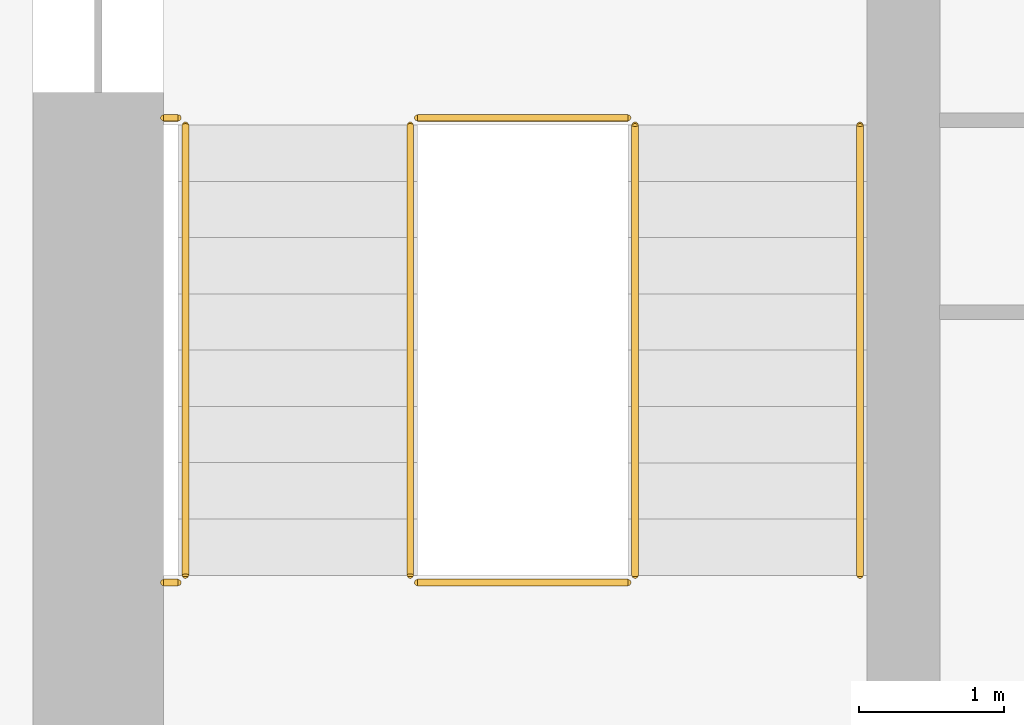
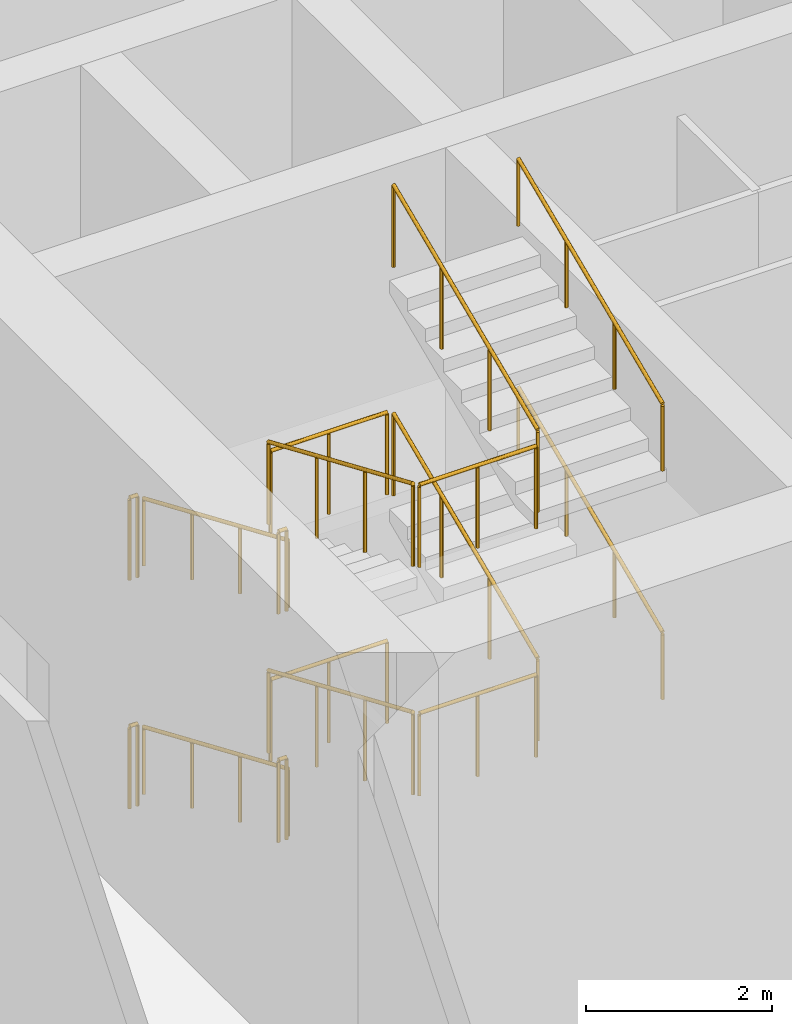
# One storey, part 18 of 24: 16 railings.
"""IFC4 building model written with IfcOpenShell, lengths in metres."""

from ifc_helpers import new_model, si_unit, direction, frame, origin, origin_2d, place, context, subcontext, project, spatial, circle, extrude, material, type_object, element, save


model = new_model("IFC4")

# Units and contexts
model_context = context("Model", 3, precision=1e-05, world=origin(), true_north=direction((0.0, 1.0)))
body_context = subcontext(model_context, "Body", "Model", "MODEL_VIEW")
ifc_project = project(units=[si_unit("LENGTHUNIT", "METRE"), si_unit("AREAUNIT", "SQUARE_METRE"), si_unit("VOLUMEUNIT", "CUBIC_METRE"), si_unit("PLANEANGLEUNIT", "RADIAN"), si_unit("MASSUNIT", "GRAM", prefix="KILO")], contexts=[model_context])

# Site, building, storey
site_placement = place(None, origin())
site = spatial("IfcSite", under=ifc_project, at=site_placement, CompositionType="ELEMENT")
building_placement = place(site_placement, origin())
building = spatial("IfcBuilding", under=site, at=building_placement, Name="Corbel Stack Research Tower", CompositionType="ELEMENT")
storey_placement = place(building_placement, frame((0.0, 0.0, 145.39990234375)))
storey = spatial("IfcBuildingStorey", under=building, at=storey_placement, Name="L33", CompositionType="ELEMENT", Elevation=145.39990234375)

# Railings
ifc_material_1 = material(Name="Steel S355", Category="steel")
railing_type_1 = type_object("IfcRailingType", Name="Stair guard 1100", PredefinedType="GUARDRAIL", material=ifc_material_1)
railing_1_placement = place(storey_placement, frame((-7.89990234375, -2.39990234375, 0.166748046875)))
element("IfcRailing", 1, at=railing_1_placement, inside=storey, type_object=railing_type_1, Name="L33 ST-W1 stair guard 1", PredefinedType="GUARDRAIL", context=body_context, shape_type="SweptSolid", body=[
    extrude(circle(Radius=0.02392578125, at=origin_2d()), frame((0.0, 0.0, 1.076171875), z_axis=(0.0, -0.918826996994, 0.394660549834), x_axis=(1.0, 0.0, 0.0)), (0.0, 0.0, 1.0), 3.378173828125),
    extrude(circle(Radius=0.02099609375, at=origin_2d()), origin(), (0.0, 0.0, 1.0), 1.052001953125),
    extrude(circle(Radius=0.02099609375, at=origin_2d()), frame((0.0, -1.03466796875, 0.4443359375)), (0.0, 0.0, 1.0), 1.052001953125),
    extrude(circle(Radius=0.02099609375, at=origin_2d()), frame((0.0, -2.0693359375, 0.888916015625)), (0.0, 0.0, 1.0), 1.052001953125),
    extrude(circle(Radius=0.02099609375, at=origin_2d()), frame((0.0, -3.10400390625, 1.333251953125)), (0.0, 0.0, 1.0), 1.052001953125),
])
railing_2_placement = place(storey_placement, frame((-7.85009765625, -5.553955078125, 1.5)))
element("IfcRailing", 2, at=railing_2_placement, inside=storey, type_object=railing_type_1, Name="L33 ST-W1 stair guard 2", PredefinedType="GUARDRAIL", context=body_context, shape_type="SweptSolid", body=[
    extrude(circle(Radius=0.02392578125, at=origin_2d()), frame((0.0, 0.0, 1.076171875), z_axis=(1.0, 0.0, 0.0), x_axis=(0.0, 1.0, 0.0)), (0.0, 0.0, 1.0), 1.4501953125),
    extrude(circle(Radius=0.02099609375, at=origin_2d()), origin(), (0.0, 0.0, 1.0), 1.052001953125),
    extrude(circle(Radius=0.02099609375, at=origin_2d()), frame((0.72509765625, 0.0, 0.0)), (0.0, 0.0, 1.0), 1.052001953125),
    extrude(circle(Radius=0.02099609375, at=origin_2d()), frame((1.4501953125, 0.0, 0.0)), (0.0, 0.0, 1.0), 1.052001953125),
])
railing_3_placement = place(storey_placement, frame((-9.60009765625, -5.553955078125, 1.5)))
element("IfcRailing", 3, at=railing_3_placement, inside=storey, type_object=railing_type_1, Name="L33 ST-W1 stair guard 3", PredefinedType="GUARDRAIL", context=body_context, shape_type="SweptSolid", body=[
    extrude(circle(Radius=0.02392578125, at=origin_2d()), frame((0.0, 0.0, 1.076171875), z_axis=(1.0, 0.0, 0.0), x_axis=(0.0, 1.0, 0.0)), (0.0, 0.0, 1.0), 0.10009765625),
    extrude(circle(Radius=0.02099609375, at=origin_2d()), origin(), (0.0, 0.0, 1.0), 1.052001953125),
    extrude(circle(Radius=0.02099609375, at=origin_2d()), frame((0.10009765625, 0.0, 0.0)), (0.0, 0.0, 1.0), 1.052001953125),
])
railing_4_placement = place(storey_placement, frame((-6.35009765625, -5.50390625, 1.666748046875)))
element("IfcRailing", 4, at=railing_4_placement, inside=storey, type_object=railing_type_1, Name="L33 ST-W1 stair guard 4", PredefinedType="GUARDRAIL", context=body_context, shape_type="SweptSolid", body=[
    extrude(circle(Radius=0.02392578125, at=origin_2d()), frame((0.0, 0.0, 1.076171875), z_axis=(0.0, 0.918826996994, 0.394660549834), x_axis=(-1.0, 0.0, 0.0)), (0.0, 0.0, 1.0), 3.378173828125),
    extrude(circle(Radius=0.02099609375, at=origin_2d()), origin(), (0.0, 0.0, 1.0), 1.052001953125),
    extrude(circle(Radius=0.02099609375, at=origin_2d()), frame((0.0, 1.03466796875, 0.4443359375)), (0.0, 0.0, 1.0), 1.052001953125),
    extrude(circle(Radius=0.02099609375, at=origin_2d()), frame((0.0, 2.0693359375, 0.888916015625)), (0.0, 0.0, 1.0), 1.052001953125),
    extrude(circle(Radius=0.02099609375, at=origin_2d()), frame((0.0, 3.10400390625, 1.333251953125)), (0.0, 0.0, 1.0), 1.052001953125),
])
railing_5_placement = place(storey_placement, frame((-7.85009765625, -2.35009765625, 3.0)))
element("IfcRailing", 5, at=railing_5_placement, inside=storey, type_object=railing_type_1, Name="L33 ST-W1 stair guard 5", PredefinedType="GUARDRAIL", context=body_context, shape_type="SweptSolid", body=[
    extrude(circle(Radius=0.02392578125, at=origin_2d()), frame((0.0, 0.0, 1.076171875), z_axis=(1.0, 0.0, 0.0), x_axis=(0.0, 1.0, 0.0)), (0.0, 0.0, 1.0), 1.4501953125),
    extrude(circle(Radius=0.02099609375, at=origin_2d()), origin(), (0.0, 0.0, 1.0), 1.052001953125),
    extrude(circle(Radius=0.02099609375, at=origin_2d()), frame((0.72509765625, 0.0, 0.0)), (0.0, 0.0, 1.0), 1.052001953125),
    extrude(circle(Radius=0.02099609375, at=origin_2d()), frame((1.4501953125, 0.0, 0.0)), (0.0, 0.0, 1.0), 1.052001953125),
])
railing_6_placement = place(storey_placement, frame((-9.60009765625, -2.35009765625, 3.0)))
element("IfcRailing", 6, at=railing_6_placement, inside=storey, type_object=railing_type_1, Name="L33 ST-W1 stair guard 6", PredefinedType="GUARDRAIL", context=body_context, shape_type="SweptSolid", body=[
    extrude(circle(Radius=0.02392578125, at=origin_2d()), frame((0.0, 0.0, 1.076171875), z_axis=(1.0, 0.0, 0.0), x_axis=(0.0, 1.0, 0.0)), (0.0, 0.0, 1.0), 0.10009765625),
    extrude(circle(Radius=0.02099609375, at=origin_2d()), origin(), (0.0, 0.0, 1.0), 1.052001953125),
    extrude(circle(Radius=0.02099609375, at=origin_2d()), frame((0.10009765625, 0.0, 0.0)), (0.0, 0.0, 1.0), 1.052001953125),
])
railing_7_placement = place(storey_placement, frame((-7.89990234375, -2.39990234375, 3.166748046875)))
element("IfcRailing", 7, at=railing_7_placement, inside=storey, type_object=railing_type_1, Name="L33 ST-W1 stair guard 7", PredefinedType="GUARDRAIL", context=body_context, shape_type="SweptSolid", body=[
    extrude(circle(Radius=0.02392578125, at=origin_2d()), frame((0.0, 0.0, 1.076171875), z_axis=(0.0, -0.918826996994, 0.394660549834), x_axis=(1.0, 0.0, 0.0)), (0.0, 0.0, 1.0), 3.378173828125),
    extrude(circle(Radius=0.02099609375, at=origin_2d()), origin(), (0.0, 0.0, 1.0), 1.052001953125),
    extrude(circle(Radius=0.02099609375, at=origin_2d()), frame((0.0, -1.03466796875, 0.4443359375)), (0.0, 0.0, 1.0), 1.052001953125),
    extrude(circle(Radius=0.02099609375, at=origin_2d()), frame((0.0, -2.0693359375, 0.888916015625)), (0.0, 0.0, 1.0), 1.052001953125),
    extrude(circle(Radius=0.02099609375, at=origin_2d()), frame((0.0, -3.10400390625, 1.333251953125)), (0.0, 0.0, 1.0), 1.052001953125),
])
railing_8_placement = place(storey_placement, frame((-7.85009765625, -5.553955078125, 4.5)))
element("IfcRailing", 8, at=railing_8_placement, inside=storey, type_object=railing_type_1, Name="L33 ST-W1 stair guard 8", PredefinedType="GUARDRAIL", context=body_context, shape_type="SweptSolid", body=[
    extrude(circle(Radius=0.02392578125, at=origin_2d()), frame((0.0, 0.0, 1.076171875), z_axis=(1.0, 0.0, 0.0), x_axis=(0.0, 1.0, 0.0)), (0.0, 0.0, 1.0), 1.4501953125),
    extrude(circle(Radius=0.02099609375, at=origin_2d()), origin(), (0.0, 0.0, 1.0), 1.052001953125),
    extrude(circle(Radius=0.02099609375, at=origin_2d()), frame((0.72509765625, 0.0, 0.0)), (0.0, 0.0, 1.0), 1.052001953125),
    extrude(circle(Radius=0.02099609375, at=origin_2d()), frame((1.4501953125, 0.0, 0.0)), (0.0, 0.0, 1.0), 1.052001953125),
])
railing_9_placement = place(storey_placement, frame((-9.60009765625, -5.553955078125, 4.5)))
element("IfcRailing", 9, at=railing_9_placement, inside=storey, type_object=railing_type_1, Name="L33 ST-W1 stair guard 9", PredefinedType="GUARDRAIL", context=body_context, shape_type="SweptSolid", body=[
    extrude(circle(Radius=0.02392578125, at=origin_2d()), frame((0.0, 0.0, 1.076171875), z_axis=(1.0, 0.0, 0.0), x_axis=(0.0, 1.0, 0.0)), (0.0, 0.0, 1.0), 0.10009765625),
    extrude(circle(Radius=0.02099609375, at=origin_2d()), origin(), (0.0, 0.0, 1.0), 1.052001953125),
    extrude(circle(Radius=0.02099609375, at=origin_2d()), frame((0.10009765625, 0.0, 0.0)), (0.0, 0.0, 1.0), 1.052001953125),
])
railing_10_placement = place(storey_placement, frame((-6.35009765625, -5.50390625, 4.666748046875)))
element("IfcRailing", 10, at=railing_10_placement, inside=storey, type_object=railing_type_1, Name="L33 ST-W1 stair guard 10", PredefinedType="GUARDRAIL", context=body_context, shape_type="SweptSolid", body=[
    extrude(circle(Radius=0.02392578125, at=origin_2d()), frame((0.0, 0.0, 1.076171875), z_axis=(0.0, 0.918826996994, 0.394660549834), x_axis=(-1.0, 0.0, 0.0)), (0.0, 0.0, 1.0), 3.378173828125),
    extrude(circle(Radius=0.02099609375, at=origin_2d()), origin(), (0.0, 0.0, 1.0), 1.052001953125),
    extrude(circle(Radius=0.02099609375, at=origin_2d()), frame((0.0, 1.03466796875, 0.4443359375)), (0.0, 0.0, 1.0), 1.052001953125),
    extrude(circle(Radius=0.02099609375, at=origin_2d()), frame((0.0, 2.0693359375, 0.888916015625)), (0.0, 0.0, 1.0), 1.052001953125),
    extrude(circle(Radius=0.02099609375, at=origin_2d()), frame((0.0, 3.10400390625, 1.333251953125)), (0.0, 0.0, 1.0), 1.052001953125),
])
railing_11_placement = place(storey_placement, frame((-7.85009765625, -2.35009765625, 0.0)))
element("IfcRailing", 11, at=railing_11_placement, inside=storey, type_object=railing_type_1, Name="L33 ST-W1 stair guard 11", PredefinedType="GUARDRAIL", context=body_context, shape_type="SweptSolid", body=[
    extrude(circle(Radius=0.02392578125, at=origin_2d()), frame((0.0, 0.0, 1.076171875), z_axis=(1.0, 0.0, 0.0), x_axis=(0.0, 1.0, 0.0)), (0.0, 0.0, 1.0), 1.4501953125),
    extrude(circle(Radius=0.02099609375, at=origin_2d()), origin(), (0.0, 0.0, 1.0), 1.052001953125),
    extrude(circle(Radius=0.02099609375, at=origin_2d()), frame((0.72509765625, 0.0, 0.0)), (0.0, 0.0, 1.0), 1.052001953125),
    extrude(circle(Radius=0.02099609375, at=origin_2d()), frame((1.4501953125, 0.0, 0.0)), (0.0, 0.0, 1.0), 1.052001953125),
])
railing_12_placement = place(storey_placement, frame((-9.60009765625, -2.35009765625, 0.0)))
element("IfcRailing", 12, at=railing_12_placement, inside=storey, type_object=railing_type_1, Name="L33 ST-W1 stair guard 12", PredefinedType="GUARDRAIL", context=body_context, shape_type="SweptSolid", body=[
    extrude(circle(Radius=0.02392578125, at=origin_2d()), frame((0.0, 0.0, 1.076171875), z_axis=(1.0, 0.0, 0.0), x_axis=(0.0, 1.0, 0.0)), (0.0, 0.0, 1.0), 0.10009765625),
    extrude(circle(Radius=0.02099609375, at=origin_2d()), origin(), (0.0, 0.0, 1.0), 1.052001953125),
    extrude(circle(Radius=0.02099609375, at=origin_2d()), frame((0.10009765625, 0.0, 0.0)), (0.0, 0.0, 1.0), 1.052001953125),
])
ifc_material_2 = material(Name="Steel S355", Category="steel")
railing_type_2 = type_object("IfcRailingType", Name="Stair handrail 900", PredefinedType="HANDRAIL", material=ifc_material_2)
railing_13_placement = place(storey_placement, frame((-9.449951171875, -2.39990234375, 0.166748046875)))
element("IfcRailing", 13, at=railing_13_placement, inside=storey, type_object=railing_type_2, Name="L33 ST-W1 stair handrail 1", PredefinedType="HANDRAIL", context=body_context, shape_type="SweptSolid", body=[
    extrude(circle(Radius=0.02392578125, at=origin_2d()), frame((0.0, 0.0, 0.8759765625), z_axis=(0.0, -0.918826996994, 0.394660549834), x_axis=(1.0, 0.0, 0.0)), (0.0, 0.0, 1.0), 3.378173828125),
    extrude(circle(Radius=0.02099609375, at=origin_2d()), origin(), (0.0, 0.0, 1.0), 0.851806640625),
    extrude(circle(Radius=0.02099609375, at=origin_2d()), frame((0.0, -1.03466796875, 0.4443359375)), (0.0, 0.0, 1.0), 0.851806640625),
    extrude(circle(Radius=0.02099609375, at=origin_2d()), frame((0.0, -2.0693359375, 0.888916015625)), (0.0, 0.0, 1.0), 0.851806640625),
    extrude(circle(Radius=0.02099609375, at=origin_2d()), frame((0.0, -3.10400390625, 1.333251953125)), (0.0, 0.0, 1.0), 0.851806640625),
])
railing_14_placement = place(storey_placement, frame((-4.800048828125, -5.50390625, 1.666748046875)))
element("IfcRailing", 14, at=railing_14_placement, inside=storey, type_object=railing_type_2, Name="L33 ST-W1 stair handrail 2", PredefinedType="HANDRAIL", context=body_context, shape_type="SweptSolid", body=[
    extrude(circle(Radius=0.02392578125, at=origin_2d()), frame((0.0, 0.0, 0.8759765625), z_axis=(0.0, 0.918826996994, 0.394660549834), x_axis=(-1.0, 0.0, 0.0)), (0.0, 0.0, 1.0), 3.378173828125),
    extrude(circle(Radius=0.02099609375, at=origin_2d()), origin(), (0.0, 0.0, 1.0), 0.851806640625),
    extrude(circle(Radius=0.02099609375, at=origin_2d()), frame((0.0, 1.03466796875, 0.4443359375)), (0.0, 0.0, 1.0), 0.851806640625),
    extrude(circle(Radius=0.02099609375, at=origin_2d()), frame((0.0, 2.0693359375, 0.888916015625)), (0.0, 0.0, 1.0), 0.851806640625),
    extrude(circle(Radius=0.02099609375, at=origin_2d()), frame((0.0, 3.10400390625, 1.333251953125)), (0.0, 0.0, 1.0), 0.851806640625),
])
railing_15_placement = place(storey_placement, frame((-9.449951171875, -2.39990234375, 3.166748046875)))
element("IfcRailing", 15, at=railing_15_placement, inside=storey, type_object=railing_type_2, Name="L33 ST-W1 stair handrail 3", PredefinedType="HANDRAIL", context=body_context, shape_type="SweptSolid", body=[
    extrude(circle(Radius=0.02392578125, at=origin_2d()), frame((0.0, 0.0, 0.8759765625), z_axis=(0.0, -0.918826996994, 0.394660549834), x_axis=(1.0, 0.0, 0.0)), (0.0, 0.0, 1.0), 3.378173828125),
    extrude(circle(Radius=0.02099609375, at=origin_2d()), origin(), (0.0, 0.0, 1.0), 0.851806640625),
    extrude(circle(Radius=0.02099609375, at=origin_2d()), frame((0.0, -1.03466796875, 0.4443359375)), (0.0, 0.0, 1.0), 0.851806640625),
    extrude(circle(Radius=0.02099609375, at=origin_2d()), frame((0.0, -2.0693359375, 0.888916015625)), (0.0, 0.0, 1.0), 0.851806640625),
    extrude(circle(Radius=0.02099609375, at=origin_2d()), frame((0.0, -3.10400390625, 1.333251953125)), (0.0, 0.0, 1.0), 0.851806640625),
])
railing_16_placement = place(storey_placement, frame((-4.800048828125, -5.50390625, 4.666748046875)))
element("IfcRailing", 16, at=railing_16_placement, inside=storey, type_object=railing_type_2, Name="L33 ST-W1 stair handrail 4", PredefinedType="HANDRAIL", context=body_context, shape_type="SweptSolid", body=[
    extrude(circle(Radius=0.02392578125, at=origin_2d()), frame((0.0, 0.0, 0.8759765625), z_axis=(0.0, 0.918826996994, 0.394660549834), x_axis=(-1.0, 0.0, 0.0)), (0.0, 0.0, 1.0), 3.378173828125),
    extrude(circle(Radius=0.02099609375, at=origin_2d()), origin(), (0.0, 0.0, 1.0), 0.851806640625),
    extrude(circle(Radius=0.02099609375, at=origin_2d()), frame((0.0, 1.03466796875, 0.4443359375)), (0.0, 0.0, 1.0), 0.851806640625),
    extrude(circle(Radius=0.02099609375, at=origin_2d()), frame((0.0, 2.0693359375, 0.888916015625)), (0.0, 0.0, 1.0), 0.851806640625),
    extrude(circle(Radius=0.02099609375, at=origin_2d()), frame((0.0, 3.10400390625, 1.333251953125)), (0.0, 0.0, 1.0), 0.851806640625),
])

save(model, "model.ifc")
